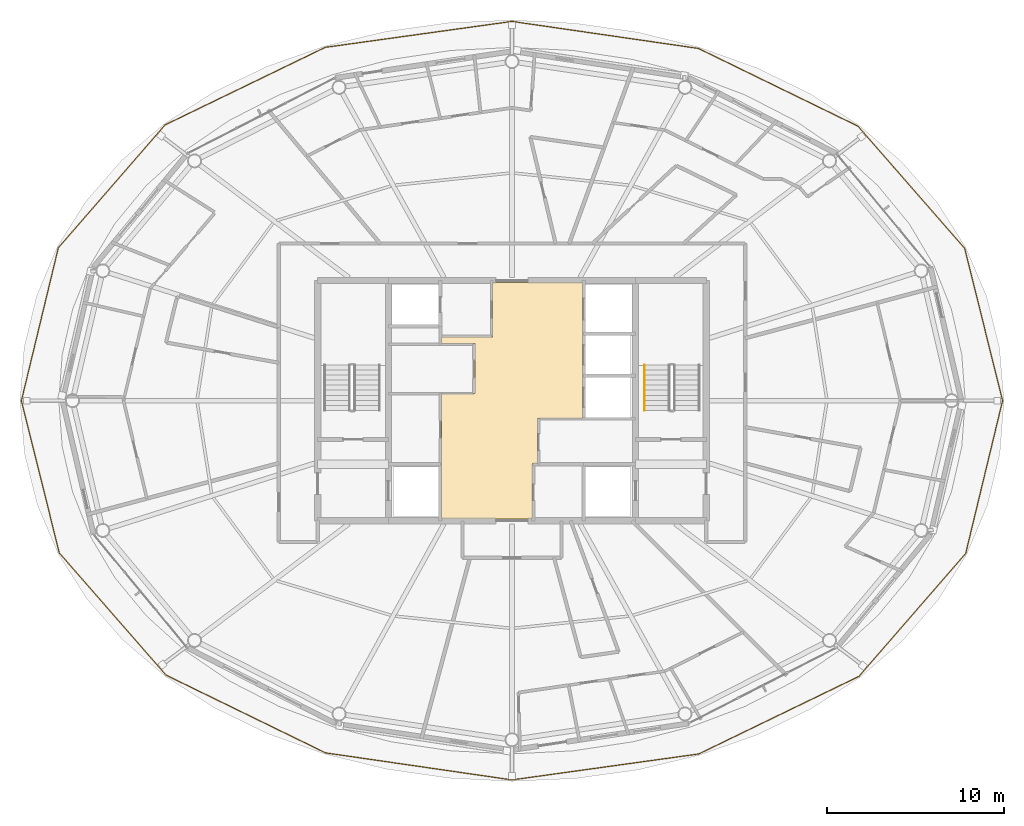
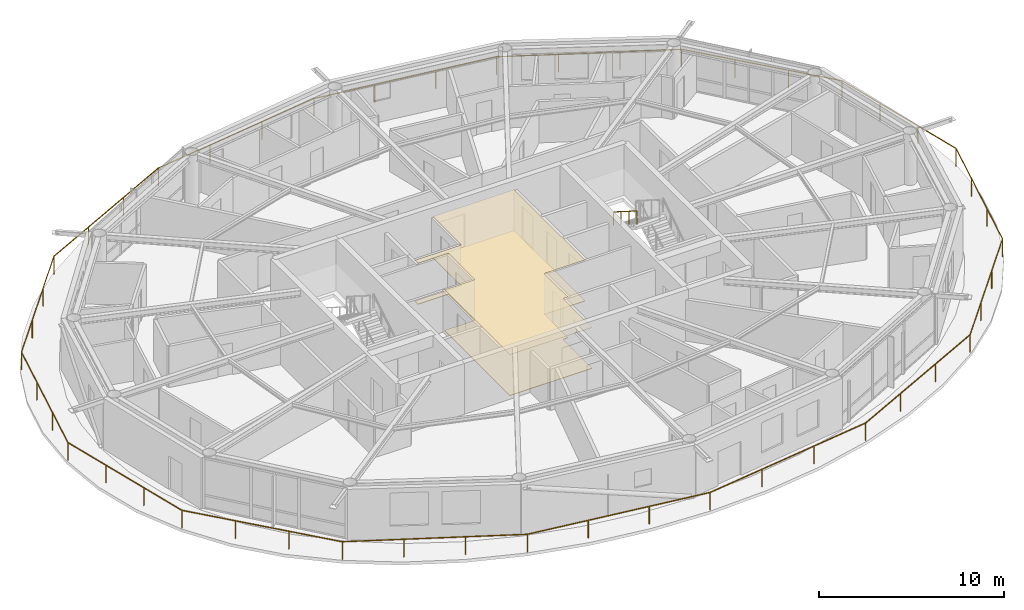
# One storey, part 22 of 23: 2 coverings, 2 railings.
"""IFC4 building model written with IfcOpenShell, lengths in metres."""

from ifc_helpers import new_model, si_unit, direction, frame, origin, origin_2d, place, context, subcontext, project, spatial, polyline, rectangle, outline, extrude, material, layer, layer_set, type_object, element, save


model = new_model("IFC4")

# Units and contexts
model_context = context("Model", 3, precision=1e-05, world=origin(), true_north=direction((0.0, 1.0)))
body_context = subcontext(model_context, "Body", "Model", "MODEL_VIEW")
ifc_project = project(units=[si_unit("LENGTHUNIT", "METRE"), si_unit("AREAUNIT", "SQUARE_METRE"), si_unit("VOLUMEUNIT", "CUBIC_METRE"), si_unit("PLANEANGLEUNIT", "RADIAN"), si_unit("MASSUNIT", "GRAM", prefix="KILO")], contexts=[model_context])

# Site, building, storey
site_placement = place(None, origin())
site = spatial("IfcSite", under=ifc_project, at=site_placement, CompositionType="ELEMENT")
building_placement = place(site_placement, origin())
building = spatial("IfcBuilding", under=site, at=building_placement, Name="Sarneth Arch Tower", CompositionType="ELEMENT")
storey_placement = place(building_placement, frame((0.0, 0.0, 269.39990234375)))
storey = spatial("IfcBuildingStorey", under=building, at=storey_placement, Name="L69", CompositionType="ELEMENT", Elevation=269.39990234375)

# Coverings
ifc_material_1 = material(Name="Perforated acoustic gypsum ceiling board")
ifc_layer_1 = layer(ifc_material_1, 0.02490234375)
ifc_layer_set_1 = layer_set([ifc_layer_1], Name="Perforated acoustic gypsum ceiling board")
covering_type_1 = type_object("IfcCoveringType", Name="COV-CEIL-GYP", PredefinedType="CEILING", material=ifc_layer_set_1)
covering_1_placement = place(storey_placement, frame((0.0, 0.0, 2.7001953125)))
element("IfcCovering", 1, at=covering_1_placement, inside=storey, type_object=covering_type_1, Name="L69 Lift lobby acoustic ceiling", PredefinedType="CEILING", context=body_context, shape_type="SweptSolid", body=[
    extrude(outline(polyline([(49.449951171875, 41.0), (49.449951171875, 38.449951171875), (49.14990234375, 38.449951171875), (49.14990234375, 35.300048828125), (44.0, 35.300048828125), (44.0, 42.39990234375), (45.89990234375, 42.39990234375), (45.89990234375, 45.25), (44.0, 45.25), (44.0, 45.60009765625), (46.89990234375, 45.60009765625), (46.89990234375, 48.699951171875), (52.0, 48.699951171875), (52.0, 41.0), (49.449951171875, 41.0)])), origin(), (0.0, 0.0, 1.0), 0.02978515625),
])
ifc_material_2 = material(Name="Honed granite stone flooring", Category="masonry")
ifc_layer_2 = layer(ifc_material_2, 0.030029296875)
ifc_layer_set_2 = layer_set([ifc_layer_2], Name="Honed granite stone flooring")
covering_type_2 = type_object("IfcCoveringType", Name="COV-FLR-STONE", PredefinedType="FLOORING", material=ifc_layer_set_2)
covering_2_placement = place(storey_placement, origin())
element("IfcCovering", 2, at=covering_2_placement, inside=storey, type_object=covering_type_2, Name="L69 Lift lobby granite flooring", PredefinedType="FLOORING", context=body_context, shape_type="SweptSolid", body=[
    extrude(outline(polyline([(49.449951171875, 41.0), (49.449951171875, 38.449951171875), (49.14990234375, 38.449951171875), (49.14990234375, 35.300048828125), (44.0, 35.300048828125), (44.0, 42.39990234375), (45.89990234375, 42.39990234375), (45.89990234375, 45.25), (44.0, 45.25), (44.0, 45.60009765625), (46.89990234375, 45.60009765625), (46.89990234375, 48.699951171875), (52.0, 48.699951171875), (52.0, 41.0), (49.449951171875, 41.0)])), origin(), (0.0, 0.0, 1.0), 0.030029296875),
])

# Railings
ifc_material_3 = material(Name="Laminated structural glass infill with Stainless Steel 316 top rail and posts", Category="steel")
railing_type_1 = type_object("IfcRailingType", Name="RAIL-BALC-1200", PredefinedType="BALUSTRADE", material=ifc_material_3)
railing_1_placement = place(storey_placement, frame((75.777587890625, 42.0, 0.0)))
element("IfcRailing", 3, at=railing_1_placement, inside=storey, type_object=railing_type_1, Name="L69 Helical balcony glass balustrade", PredefinedType="BALUSTRADE", context=body_context, shape_type="SweptSolid", body=[
    extrude(rectangle(XDim=0.048095703125, YDim=0.048095703125, at=origin_2d()), frame((0.0, 0.0, 1.17578125), z_axis=(-0.24153357672, 0.970392462521, 0.0), x_axis=(-0.970392462521, -0.24153357672, 0.0)), (0.0, 0.0, 1.0), 8.886962890625),
    extrude(rectangle(XDim=0.048095703125, YDim=0.048095703125, at=origin_2d()), frame((-2.146484375, 8.623779296875, 1.17578125), z_axis=(-0.657892755359, 0.753111626816, 0.0), x_axis=(-0.753111626816, -0.657892755359, 0.0)), (0.0, 0.0, 1.0), 9.184326171875),
    extrude(rectangle(XDim=0.048095703125, YDim=0.048095703125, at=origin_2d()), frame((-8.188720703125, 15.54052734375, 1.17578125), z_axis=(-0.898929273408, 0.438093781524, 0.0), x_axis=(-0.438093781524, -0.898929273408, 0.0)), (0.0, 0.0, 1.0), 10.04833984375),
    extrude(rectangle(XDim=0.048095703125, YDim=0.048095703125, at=origin_2d()), frame((-17.221435546875, 19.942626953125, 1.17578125), z_axis=(-0.989652074697, 0.143487877706, 0.0), x_axis=(-0.143487877706, -0.989652074697, 0.0)), (0.0, 0.0, 1.0), 10.66650390625),
    extrude(rectangle(XDim=0.048095703125, YDim=0.048095703125, at=origin_2d()), frame((-27.777587890625, 21.47314453125, 1.17578125), z_axis=(-0.990483703022, -0.137630062296, 0.0), x_axis=(0.137630062296, -0.990483703022, 0.0)), (0.0, 0.0, 1.0), 10.677001953125),
    extrude(rectangle(XDim=0.048095703125, YDim=0.048095703125, at=origin_2d()), frame((-38.35302734375, 20.003662109375, 1.17578125), z_axis=(-0.900035090868, -0.435817433344, 0.0), x_axis=(0.435817433344, -0.900035090868, 0.0)), (0.0, 0.0, 1.0), 10.074951171875),
    extrude(rectangle(XDim=0.048095703125, YDim=0.048095703125, at=origin_2d()), frame((-47.4208984375, 15.61279296875, 1.17578125), z_axis=(-0.655775273711, -0.754956151302, 0.0), x_axis=(0.754956151302, -0.655775273711, 0.0)), (0.0, 0.0, 1.0), 9.216064453125),
    extrude(rectangle(XDim=0.048095703125, YDim=0.048095703125, at=origin_2d()), frame((-53.464599609375, 8.655029296875, 1.17578125), z_axis=(-0.234792415291, -0.972045534799, 0.0), x_axis=(0.972045534799, -0.234792415291, 0.0)), (0.0, 0.0, 1.0), 8.904052734375),
    extrude(rectangle(XDim=0.048095703125, YDim=0.048095703125, at=origin_2d()), frame((-55.55517578125, 0.0, 1.17578125), z_axis=(0.24153357672, -0.970392462521, 0.0), x_axis=(0.970392462521, 0.24153357672, 0.0)), (0.0, 0.0, 1.0), 8.886962890625),
    extrude(rectangle(XDim=0.048095703125, YDim=0.048095703125, at=origin_2d()), frame((-53.40869140625, -8.623779296875, 1.17578125), z_axis=(0.657892755359, -0.753111626816, 0.0), x_axis=(0.753111626816, 0.657892755359, 0.0)), (0.0, 0.0, 1.0), 9.184326171875),
    extrude(rectangle(XDim=0.048095703125, YDim=0.048095703125, at=origin_2d()), frame((-47.366455078125, -15.54052734375, 1.17578125), z_axis=(0.898929273408, -0.438093781524, 0.0), x_axis=(0.438093781524, 0.898929273408, 0.0)), (0.0, 0.0, 1.0), 10.04833984375),
    extrude(rectangle(XDim=0.048095703125, YDim=0.048095703125, at=origin_2d()), frame((-38.333740234375, -19.942626953125, 1.17578125), z_axis=(0.989652074697, -0.143487877706, 0.0), x_axis=(0.143487877706, 0.989652074697, 0.0)), (0.0, 0.0, 1.0), 10.66650390625),
    extrude(rectangle(XDim=0.048095703125, YDim=0.048095703125, at=origin_2d()), frame((-27.777587890625, -21.47314453125, 1.17578125), z_axis=(0.990483703022, 0.137630062296, 0.0), x_axis=(-0.137630062296, 0.990483703022, 0.0)), (0.0, 0.0, 1.0), 10.677001953125),
    extrude(rectangle(XDim=0.048095703125, YDim=0.048095703125, at=origin_2d()), frame((-17.2021484375, -20.003662109375, 1.17578125), z_axis=(0.900035090868, 0.435817433344, 0.0), x_axis=(-0.435817433344, 0.900035090868, 0.0)), (0.0, 0.0, 1.0), 10.074951171875),
    extrude(rectangle(XDim=0.048095703125, YDim=0.048095703125, at=origin_2d()), frame((-8.13427734375, -15.61279296875, 1.17578125), z_axis=(0.655775273711, 0.754956151302, 0.0), x_axis=(-0.754956151302, 0.655775273711, 0.0)), (0.0, 0.0, 1.0), 9.216064453125),
    extrude(rectangle(XDim=0.048095703125, YDim=0.048095703125, at=origin_2d()), frame((-2.090576171875, -8.655029296875, 1.17578125), z_axis=(0.234792415291, 0.972045534799, 0.0), x_axis=(-0.972045534799, 0.234792415291, 0.0)), (0.0, 0.0, 1.0), 8.904052734375),
    extrude(rectangle(XDim=0.0419921875, YDim=0.0419921875, at=origin_2d()), origin(), (0.0, 0.0, 1.0), 1.15185546875),
    extrude(rectangle(XDim=0.0419921875, YDim=0.0419921875, at=origin_2d()), frame((-0.715576171875, 2.87451171875, 0.0)), (0.0, 0.0, 1.0), 1.15185546875),
    extrude(rectangle(XDim=0.0419921875, YDim=0.0419921875, at=origin_2d()), frame((-1.430908203125, 5.749267578125, 0.0)), (0.0, 0.0, 1.0), 1.15185546875),
    extrude(rectangle(XDim=0.0419921875, YDim=0.0419921875, at=origin_2d()), frame((-2.146484375, 8.623779296875, 0.0)), (0.0, 0.0, 1.0), 1.15185546875),
    extrude(rectangle(XDim=0.0419921875, YDim=0.0419921875, at=origin_2d()), frame((-4.16064453125, 10.929443359375, 0.0)), (0.0, 0.0, 1.0), 1.15185546875),
    extrude(rectangle(XDim=0.0419921875, YDim=0.0419921875, at=origin_2d()), frame((-6.174560546875, 13.23486328125, 0.0)), (0.0, 0.0, 1.0), 1.15185546875),
    extrude(rectangle(XDim=0.0419921875, YDim=0.0419921875, at=origin_2d()), frame((-8.188720703125, 15.54052734375, 0.0)), (0.0, 0.0, 1.0), 1.15185546875),
    extrude(rectangle(XDim=0.0419921875, YDim=0.0419921875, at=origin_2d()), frame((-11.19970703125, 17.0078125, 0.0)), (0.0, 0.0, 1.0), 1.15185546875),
    extrude(rectangle(XDim=0.0419921875, YDim=0.0419921875, at=origin_2d()), frame((-14.21044921875, 18.475341796875, 0.0)), (0.0, 0.0, 1.0), 1.15185546875),
    extrude(rectangle(XDim=0.0419921875, YDim=0.0419921875, at=origin_2d()), frame((-17.221435546875, 19.942626953125, 0.0)), (0.0, 0.0, 1.0), 1.15185546875),
    extrude(rectangle(XDim=0.0419921875, YDim=0.0419921875, at=origin_2d()), frame((-20.740234375, 20.452880859375, 0.0)), (0.0, 0.0, 1.0), 1.15185546875),
    extrude(rectangle(XDim=0.0419921875, YDim=0.0419921875, at=origin_2d()), frame((-24.2587890625, 20.962890625, 0.0)), (0.0, 0.0, 1.0), 1.15185546875),
    extrude(rectangle(XDim=0.0419921875, YDim=0.0419921875, at=origin_2d()), frame((-27.777587890625, 21.47314453125, 0.0)), (0.0, 0.0, 1.0), 1.15185546875),
    extrude(rectangle(XDim=0.0419921875, YDim=0.0419921875, at=origin_2d()), frame((-31.302734375, 20.9833984375, 0.0)), (0.0, 0.0, 1.0), 1.15185546875),
    extrude(rectangle(XDim=0.0419921875, YDim=0.0419921875, at=origin_2d()), frame((-34.827880859375, 20.493408203125, 0.0)), (0.0, 0.0, 1.0), 1.15185546875),
    extrude(rectangle(XDim=0.0419921875, YDim=0.0419921875, at=origin_2d()), frame((-38.35302734375, 20.003662109375, 0.0)), (0.0, 0.0, 1.0), 1.15185546875),
    extrude(rectangle(XDim=0.0419921875, YDim=0.0419921875, at=origin_2d()), frame((-41.375732421875, 18.5400390625, 0.0)), (0.0, 0.0, 1.0), 1.15185546875),
    extrude(rectangle(XDim=0.0419921875, YDim=0.0419921875, at=origin_2d()), frame((-44.398193359375, 17.076416015625, 0.0)), (0.0, 0.0, 1.0), 1.15185546875),
    extrude(rectangle(XDim=0.0419921875, YDim=0.0419921875, at=origin_2d()), frame((-47.4208984375, 15.61279296875, 0.0)), (0.0, 0.0, 1.0), 1.15185546875),
    extrude(rectangle(XDim=0.0419921875, YDim=0.0419921875, at=origin_2d()), frame((-49.435546875, 13.29345703125, 0.0)), (0.0, 0.0, 1.0), 1.15185546875),
    extrude(rectangle(XDim=0.0419921875, YDim=0.0419921875, at=origin_2d()), frame((-51.449951171875, 10.974365234375, 0.0)), (0.0, 0.0, 1.0), 1.15185546875),
    extrude(rectangle(XDim=0.0419921875, YDim=0.0419921875, at=origin_2d()), frame((-53.464599609375, 8.655029296875, 0.0)), (0.0, 0.0, 1.0), 1.15185546875),
    extrude(rectangle(XDim=0.0419921875, YDim=0.0419921875, at=origin_2d()), frame((-54.161376953125, 5.77001953125, 0.0)), (0.0, 0.0, 1.0), 1.15185546875),
    extrude(rectangle(XDim=0.0419921875, YDim=0.0419921875, at=origin_2d()), frame((-54.8583984375, 2.885009765625, 0.0)), (0.0, 0.0, 1.0), 1.15185546875),
    extrude(rectangle(XDim=0.0419921875, YDim=0.0419921875, at=origin_2d()), frame((-55.55517578125, 0.0, 0.0)), (0.0, 0.0, 1.0), 1.15185546875),
    extrude(rectangle(XDim=0.0419921875, YDim=0.0419921875, at=origin_2d()), frame((-54.839599609375, -2.87451171875, 0.0)), (0.0, 0.0, 1.0), 1.15185546875),
    extrude(rectangle(XDim=0.0419921875, YDim=0.0419921875, at=origin_2d()), frame((-54.124267578125, -5.749267578125, 0.0)), (0.0, 0.0, 1.0), 1.15185546875),
    extrude(rectangle(XDim=0.0419921875, YDim=0.0419921875, at=origin_2d()), frame((-53.40869140625, -8.623779296875, 0.0)), (0.0, 0.0, 1.0), 1.15185546875),
    extrude(rectangle(XDim=0.0419921875, YDim=0.0419921875, at=origin_2d()), frame((-51.39453125, -10.929443359375, 0.0)), (0.0, 0.0, 1.0), 1.15185546875),
    extrude(rectangle(XDim=0.0419921875, YDim=0.0419921875, at=origin_2d()), frame((-49.380615234375, -13.23486328125, 0.0)), (0.0, 0.0, 1.0), 1.15185546875),
    extrude(rectangle(XDim=0.0419921875, YDim=0.0419921875, at=origin_2d()), frame((-47.366455078125, -15.54052734375, 0.0)), (0.0, 0.0, 1.0), 1.15185546875),
    extrude(rectangle(XDim=0.0419921875, YDim=0.0419921875, at=origin_2d()), frame((-44.35546875, -17.0078125, 0.0)), (0.0, 0.0, 1.0), 1.15185546875),
    extrude(rectangle(XDim=0.0419921875, YDim=0.0419921875, at=origin_2d()), frame((-41.3447265625, -18.475341796875, 0.0)), (0.0, 0.0, 1.0), 1.15185546875),
    extrude(rectangle(XDim=0.0419921875, YDim=0.0419921875, at=origin_2d()), frame((-38.333740234375, -19.942626953125, 0.0)), (0.0, 0.0, 1.0), 1.15185546875),
    extrude(rectangle(XDim=0.0419921875, YDim=0.0419921875, at=origin_2d()), frame((-34.81494140625, -20.452880859375, 0.0)), (0.0, 0.0, 1.0), 1.15185546875),
    extrude(rectangle(XDim=0.0419921875, YDim=0.0419921875, at=origin_2d()), frame((-31.29638671875, -20.962890625, 0.0)), (0.0, 0.0, 1.0), 1.15185546875),
    extrude(rectangle(XDim=0.0419921875, YDim=0.0419921875, at=origin_2d()), frame((-27.777587890625, -21.47314453125, 0.0)), (0.0, 0.0, 1.0), 1.15185546875),
    extrude(rectangle(XDim=0.0419921875, YDim=0.0419921875, at=origin_2d()), frame((-24.25244140625, -20.9833984375, 0.0)), (0.0, 0.0, 1.0), 1.15185546875),
    extrude(rectangle(XDim=0.0419921875, YDim=0.0419921875, at=origin_2d()), frame((-20.727294921875, -20.493408203125, 0.0)), (0.0, 0.0, 1.0), 1.15185546875),
    extrude(rectangle(XDim=0.0419921875, YDim=0.0419921875, at=origin_2d()), frame((-17.2021484375, -20.003662109375, 0.0)), (0.0, 0.0, 1.0), 1.15185546875),
    extrude(rectangle(XDim=0.0419921875, YDim=0.0419921875, at=origin_2d()), frame((-14.179443359375, -18.5400390625, 0.0)), (0.0, 0.0, 1.0), 1.15185546875),
    extrude(rectangle(XDim=0.0419921875, YDim=0.0419921875, at=origin_2d()), frame((-11.156982421875, -17.076416015625, 0.0)), (0.0, 0.0, 1.0), 1.15185546875),
    extrude(rectangle(XDim=0.0419921875, YDim=0.0419921875, at=origin_2d()), frame((-8.13427734375, -15.61279296875, 0.0)), (0.0, 0.0, 1.0), 1.15185546875),
    extrude(rectangle(XDim=0.0419921875, YDim=0.0419921875, at=origin_2d()), frame((-6.11962890625, -13.29345703125, 0.0)), (0.0, 0.0, 1.0), 1.15185546875),
    extrude(rectangle(XDim=0.0419921875, YDim=0.0419921875, at=origin_2d()), frame((-4.105224609375, -10.974365234375, 0.0)), (0.0, 0.0, 1.0), 1.15185546875),
    extrude(rectangle(XDim=0.0419921875, YDim=0.0419921875, at=origin_2d()), frame((-2.090576171875, -8.655029296875, 0.0)), (0.0, 0.0, 1.0), 1.15185546875),
    extrude(rectangle(XDim=0.0419921875, YDim=0.0419921875, at=origin_2d()), frame((-1.393798828125, -5.77001953125, 0.0)), (0.0, 0.0, 1.0), 1.15185546875),
    extrude(rectangle(XDim=0.0419921875, YDim=0.0419921875, at=origin_2d()), frame((-0.69677734375, -2.885009765625, 0.0)), (0.0, 0.0, 1.0), 1.15185546875),
])
ifc_material_4 = material(Name="Brushed Stainless Steel 304 tubular handrail", Category="steel")
railing_type_2 = type_object("IfcRailingType", Name="RAIL-HANDRAIL-900", PredefinedType="HANDRAIL", material=ifc_material_4)
railing_2_placement = place(storey_placement, frame((55.5, 44.014892578125, 1.97998046875)))
element("IfcRailing", 4, at=railing_2_placement, inside=storey, type_object=railing_type_2, Name="L69 ST-2 stair handrail 2", PredefinedType="HANDRAIL", context=body_context, shape_type="SweptSolid", body=[
    extrude(rectangle(XDim=0.048095703125, YDim=0.048095703125, at=origin_2d()), frame((0.0, 0.0, 0.8759765625), z_axis=(0.0, -0.845465955043, 0.534029323973), x_axis=(1.0, 0.0, 0.0)), (0.0, 0.0, 1.0), 3.03369140625),
    extrude(rectangle(XDim=0.0419921875, YDim=0.0419921875, at=origin_2d()), origin(), (0.0, 0.0, 1.0), 0.851806640625),
    extrude(rectangle(XDim=0.0419921875, YDim=0.0419921875, at=origin_2d()), frame((0.0, -0.85498046875, 0.5400390625)), (0.0, 0.0, 1.0), 0.851806640625),
    extrude(rectangle(XDim=0.0419921875, YDim=0.0419921875, at=origin_2d()), frame((0.0, -1.7099609375, 1.080078125)), (0.0, 0.0, 1.0), 0.851806640625),
    extrude(rectangle(XDim=0.0419921875, YDim=0.0419921875, at=origin_2d()), frame((0.0, -2.56494140625, 1.6201171875)), (0.0, 0.0, 1.0), 0.851806640625),
])

save(model, "model.ifc")
